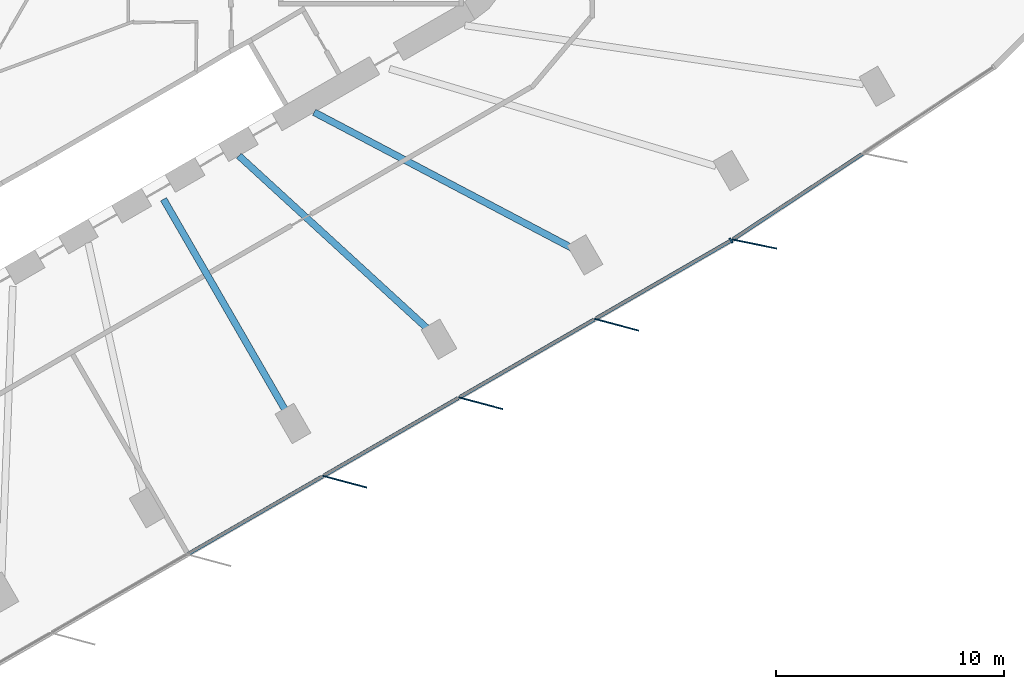
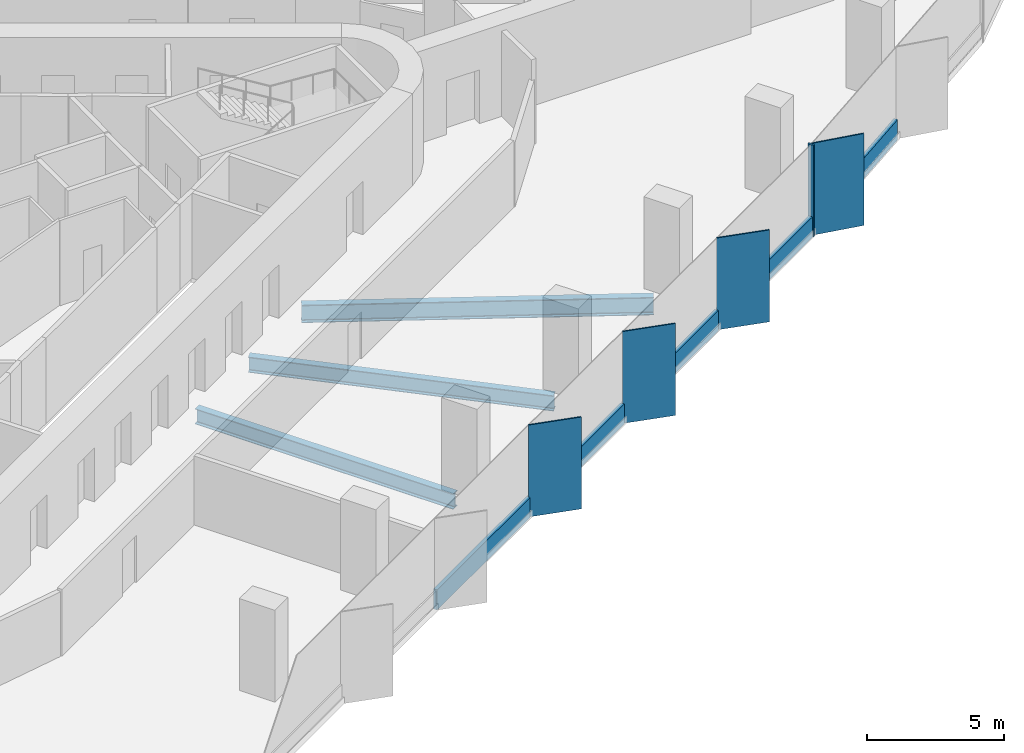
# One storey, part 3 of 14: 10 members, 3 beams, 2 elements without a shape of their own.
"""IFC4 building model written with IfcOpenShell, lengths in metres."""

from ifc_helpers import new_model, si_unit, direction, frame, origin, origin_2d, place, context, subcontext, project, spatial, rectangle, i_section, extrude, material, material_profile, profile_set, type_object, element, aggregate, save


model = new_model("IFC4")

# Units and contexts
model_context = context("Model", 3, precision=1e-05, world=origin(), true_north=direction((0.0, 1.0)))
body_context = subcontext(model_context, "Body", "Model", "MODEL_VIEW")
ifc_project = project(units=[si_unit("LENGTHUNIT", "METRE"), si_unit("AREAUNIT", "SQUARE_METRE"), si_unit("VOLUMEUNIT", "CUBIC_METRE"), si_unit("PLANEANGLEUNIT", "RADIAN"), si_unit("MASSUNIT", "GRAM", prefix="KILO")], contexts=[model_context])

# Site, building, storey
site_placement = place(None, origin())
site = spatial("IfcSite", under=ifc_project, at=site_placement, CompositionType="ELEMENT")
building_placement = place(site_placement, origin())
building = spatial("IfcBuilding", under=site, at=building_placement, Name="Tanit Gate Tower", CompositionType="ELEMENT")
storey_placement = place(building_placement, frame((0.0, 0.0, 45.5)))
storey = spatial("IfcBuildingStorey", under=building, at=storey_placement, Name="L07", CompositionType="ELEMENT", Elevation=45.5)

# Curtain wall, members
ifc_material_1 = material(Name="Aluminium bronze anodised and glass", Category="aluminium")
curtain_wall_type = type_object("IfcCurtainWallType", Name="Curtain wall typical low", PredefinedType="NOTDEFINED", material=ifc_material_1)
curtain_wall_1_placement = place(storey_placement, origin())
curtain_wall_1 = element("IfcCurtainWall", 1, at=curtain_wall_1_placement, inside=storey, type_object=curtain_wall_type, Name="Curtain wall L07 SE2", PredefinedType="NOTDEFINED")
ifc_material_2 = material(Name="Aluminium bronze anodised", Category="aluminium")
ifc_material_profile_1 = material_profile(ifc_material_2, rectangle(XDim=2.0, YDim=0.055908203125, at=origin_2d()), Name="56x2000 bronze fin mullion")
ifc_profile_set_1 = profile_set([ifc_material_profile_1], Name="Aluminium bronze anodised")
member_type_1 = type_object("IfcMemberType", Name="FIN MULLION 56x2000 bronze", PredefinedType="MULLION", material=ifc_profile_set_1)
member_1_placement = place(storey_placement, frame((13.998291015625, -22.863525390625, -0.300048828125), z_axis=(0.0, 0.0, 1.0), x_axis=(-0.965943770162, 0.25875206837, 0.0)))
member_1 = element("IfcMember", 2, at=member_1_placement, type_object=member_type_1, Name="Fin mullion L07 SE2.4", PredefinedType="MULLION", context=body_context, shape_type="SweptSolid", body=[
    extrude(rectangle(XDim=2.0, YDim=0.055908203125, at=origin_2d()), origin(), (0.0, 0.0, 1.0), 4.10009765625),
])
member_2_placement = place(storey_placement, frame((19.957763671875, -19.422119140625, -0.300048828125), z_axis=(0.0, 0.0, 1.0), x_axis=(-0.965943770162, 0.25875206837, 0.0)))
member_2 = element("IfcMember", 3, at=member_2_placement, type_object=member_type_1, Name="Fin mullion L07 SE2.5", PredefinedType="MULLION", context=body_context, shape_type="SweptSolid", body=[
    extrude(rectangle(XDim=2.0, YDim=0.055908203125, at=origin_2d()), origin(), (0.0, 0.0, 1.0), 4.10009765625),
])
member_3_placement = place(storey_placement, frame((25.91748046875, -15.98095703125, -0.300048828125), z_axis=(0.0, 0.0, 1.0), x_axis=(-0.965943770162, 0.25875206837, 0.0)))
member_3 = element("IfcMember", 4, at=member_3_placement, type_object=member_type_1, Name="Fin mullion L07 SE2.6", PredefinedType="MULLION", context=body_context, shape_type="SweptSolid", body=[
    extrude(rectangle(XDim=2.0, YDim=0.055908203125, at=origin_2d()), origin(), (0.0, 0.0, 1.0), 4.10009765625),
])

# Curtain wall, member
curtain_wall_2_placement = place(storey_placement, origin())
curtain_wall_2 = element("IfcCurtainWall", 5, at=curtain_wall_2_placement, inside=storey, type_object=curtain_wall_type, Name="Curtain wall L07 SE3", PredefinedType="NOTDEFINED")
member_4_placement = place(storey_placement, frame((31.958251953125, -12.44091796875, -0.300048828125), z_axis=(0.0, 0.0, 1.0), x_axis=(-0.979635285566, 0.200785226732, 0.0)))
member_4 = element("IfcMember", 6, at=member_4_placement, type_object=member_type_1, Name="Fin mullion L07 SE3.1", PredefinedType="MULLION", context=body_context, shape_type="SweptSolid", body=[
    extrude(rectangle(XDim=2.0, YDim=0.055908203125, at=origin_2d()), origin(), (0.0, 0.0, 1.0), 4.10009765625),
])

# Member
ifc_material_3 = material(Name="Aluminium bronze anodised", Category="aluminium")
ifc_material_profile_2 = material_profile(ifc_material_3, rectangle(XDim=0.239990234375, YDim=0.080078125, at=origin_2d()), Name="80x240 bronze mullion")
ifc_profile_set_2 = profile_set([ifc_material_profile_2], Name="Aluminium bronze anodised")
member_type_2 = type_object("IfcMemberType", Name="Mullion 80x240 typical low", PredefinedType="MULLION", material=ifc_profile_set_2)
member_5_placement = place(storey_placement, frame((30.932861328125, -12.28662109375, -0.300048828125), z_axis=(0.0, 0.0, 1.0), x_axis=(-0.500060047936, 0.865990732317, 0.0)))
member_5 = element("IfcMember", 7, at=member_5_placement, type_object=member_type_2, Name="Mullion L07 SE2.7", PredefinedType="MULLION", context=body_context, shape_type="SweptSolid", body=[
    extrude(rectangle(XDim=0.239990234375, YDim=0.080078125, at=origin_2d()), origin(), (0.0, 0.0, 1.0), 4.10009765625),
])

# Beams
ifc_material_4 = material(Name="Steel S355", Category="steel")
ifc_material_profile_3 = material_profile(ifc_material_4, i_section(OverallWidth=0.300048828125, OverallDepth=0.68994140625, WebThickness=0.014404296875, FlangeThickness=0.027099609375, FilletRadius=0.027099609375, at=origin_2d()), Name="HEA 700")
ifc_profile_set_3 = profile_set([ifc_material_profile_3], Name="Steel S355")
beam_type_1 = type_object("IfcBeamType", Name="RADIAL GIRDER HEA 700 S355", PredefinedType="BEAM", material=ifc_profile_set_3)
beam_1_placement = place(storey_placement, frame((11.501708984375, -19.921630859375, -0.64501953125), z_axis=(-0.499997733992, 0.866026712061, 0.0), x_axis=(-0.866026712061, -0.499997733992, 0.0)))
element("IfcBeam", 8, at=beam_1_placement, inside=storey, type_object=beam_type_1, Name="RADIAL GIRDER", PredefinedType="BEAM", context=body_context, shape_type="SweptSolid", body=[
    extrude(i_section(OverallWidth=0.300048828125, OverallDepth=0.68994140625, WebThickness=0.014404296875, FlangeThickness=0.027099609375, FilletRadius=0.027099609375, at=origin_2d()), origin(), (0.0, 0.0, 1.0), 10.9013671875),
])
beam_2_placement = place(storey_placement, frame((17.780029296875, -16.296630859375, -0.64501953125), z_axis=(-0.73718517135, 0.675690774794, 0.0), x_axis=(-0.675690774794, -0.73718517135, 0.0)))
element("IfcBeam", 9, at=beam_2_placement, inside=storey, type_object=beam_type_1, Name="RADIAL GIRDER", PredefinedType="BEAM", context=body_context, shape_type="SweptSolid", body=[
    extrude(i_section(OverallWidth=0.300048828125, OverallDepth=0.68994140625, WebThickness=0.014404296875, FlangeThickness=0.027099609375, FilletRadius=0.027099609375, at=origin_2d()), origin(), (0.0, 0.0, 1.0), 11.429931640625),
])
ifc_material_5 = material(Name="Steel S355", Category="steel")
ifc_material_profile_4 = material_profile(ifc_material_5, i_section(OverallWidth=0.300048828125, OverallDepth=0.7900390625, WebThickness=0.014892578125, FlangeThickness=0.028076171875, FilletRadius=0.030029296875, at=origin_2d()), Name="HEA 800")
ifc_profile_set_4 = profile_set([ifc_material_profile_4], Name="Steel S355")
beam_type_2 = type_object("IfcBeamType", Name="RADIAL GIRDER HEA 800 S355", PredefinedType="BEAM", material=ifc_profile_set_4)
beam_3_placement = place(storey_placement, frame((24.05859375, -12.671875, -0.695068359375), z_axis=(-0.88477351996, 0.466021263869, 0.0), x_axis=(-0.466021263869, -0.88477351996, 0.0)))
element("IfcBeam", 10, at=beam_3_placement, inside=storey, type_object=beam_type_2, Name="RADIAL GIRDER", PredefinedType="BEAM", context=body_context, shape_type="SweptSolid", body=[
    extrude(i_section(OverallWidth=0.300048828125, OverallDepth=0.7900390625, WebThickness=0.014892578125, FlangeThickness=0.028076171875, FilletRadius=0.030029296875, at=origin_2d()), origin(), (0.0, 0.0, 1.0), 12.886474609375),
])

# Member
ifc_material_6 = material(Name="Aluminium bronze anodised", Category="aluminium")
ifc_material_profile_5 = material_profile(ifc_material_6, rectangle(XDim=0.159912109375, YDim=0.89990234375, at=origin_2d()), Name="160x900 bronze transom")
ifc_profile_set_5 = profile_set([ifc_material_profile_5], Name="Aluminium bronze anodised")
member_type_3 = type_object("IfcMemberType", Name="Transom 160x900 typical low", PredefinedType="USERDEFINED", material=ifc_profile_set_5)
member_6_placement = place(storey_placement, frame((7.12939453125, -26.03173828125, 0.14990234375), z_axis=(0.865996688351, 0.500049733292, 0.0), x_axis=(-0.500049733292, 0.865996688351, 0.0)))
member_6 = element("IfcMember", 11, at=member_6_placement, type_object=member_type_3, Name="Transom L07 SE2.3", ObjectType="TRANSOM", PredefinedType="USERDEFINED", context=body_context, shape_type="SweptSolid", body=[
    extrude(rectangle(XDim=0.159912109375, YDim=0.89990234375, at=origin_2d()), origin(), (0.0, 0.0, 1.0), 6.801513671875),
])

member_7_placement = place(storey_placement, frame((13.0888671875, -22.590576171875, 0.14990234375), z_axis=(0.865981144299, 0.500076651843, 0.0), x_axis=(-0.500076651843, 0.865981144299, 0.0)))
member_7 = element("IfcMember", 12, at=member_7_placement, type_object=member_type_3, Name="Transom L07 SE2.4", ObjectType="TRANSOM", PredefinedType="USERDEFINED", context=body_context, shape_type="SweptSolid", body=[
    extrude(rectangle(XDim=0.159912109375, YDim=0.89990234375, at=origin_2d()), origin(), (0.0, 0.0, 1.0), 6.8017578125),
])

member_8_placement = place(storey_placement, frame((19.04833984375, -19.149169921875, 0.14990234375), z_axis=(0.866005663404, 0.500034189783, 0.0), x_axis=(-0.500034189783, 0.866005663404, 0.0)))
member_8 = element("IfcMember", 13, at=member_8_placement, type_object=member_type_3, Name="Transom L07 SE2.5", ObjectType="TRANSOM", PredefinedType="USERDEFINED", context=body_context, shape_type="SweptSolid", body=[
    extrude(rectangle(XDim=0.159912109375, YDim=0.89990234375, at=origin_2d()), origin(), (0.0, 0.0, 1.0), 6.8017578125),
])

member_9_placement = place(storey_placement, frame((25.0078125, -15.7080078125, 0.14990234375), z_axis=(0.865990120158, 0.500061108055, 0.0), x_axis=(-0.500061108055, 0.865990120158, 0.0)))
member_9 = element("IfcMember", 14, at=member_9_placement, type_object=member_type_3, Name="Transom L07 SE2.6", ObjectType="TRANSOM", PredefinedType="USERDEFINED", context=body_context, shape_type="SweptSolid", body=[
    extrude(rectangle(XDim=0.159912109375, YDim=0.89990234375, at=origin_2d()), origin(), (0.0, 0.0, 1.0), 6.802001953125),
])

aggregate(curtain_wall_1, [member_1, member_2, member_3, member_5, member_6, member_7, member_8, member_9])

member_10_placement = place(storey_placement, frame((31.0341796875, -12.22265625, 0.14990234375), z_axis=(0.834688519211, 0.550722321953, 0.0), x_axis=(-0.550722321953, 0.834688519211, 0.0)))
member_10 = element("IfcMember", 15, at=member_10_placement, type_object=member_type_3, Name="Transom L07 SE3.1", ObjectType="TRANSOM", PredefinedType="USERDEFINED", context=body_context, shape_type="SweptSolid", body=[
    extrude(rectangle(XDim=0.159912109375, YDim=0.89990234375, at=origin_2d()), origin(), (0.0, 0.0, 1.0), 6.78076171875),
])

aggregate(curtain_wall_2, [member_4, member_10])

save(model, "model.ifc")
